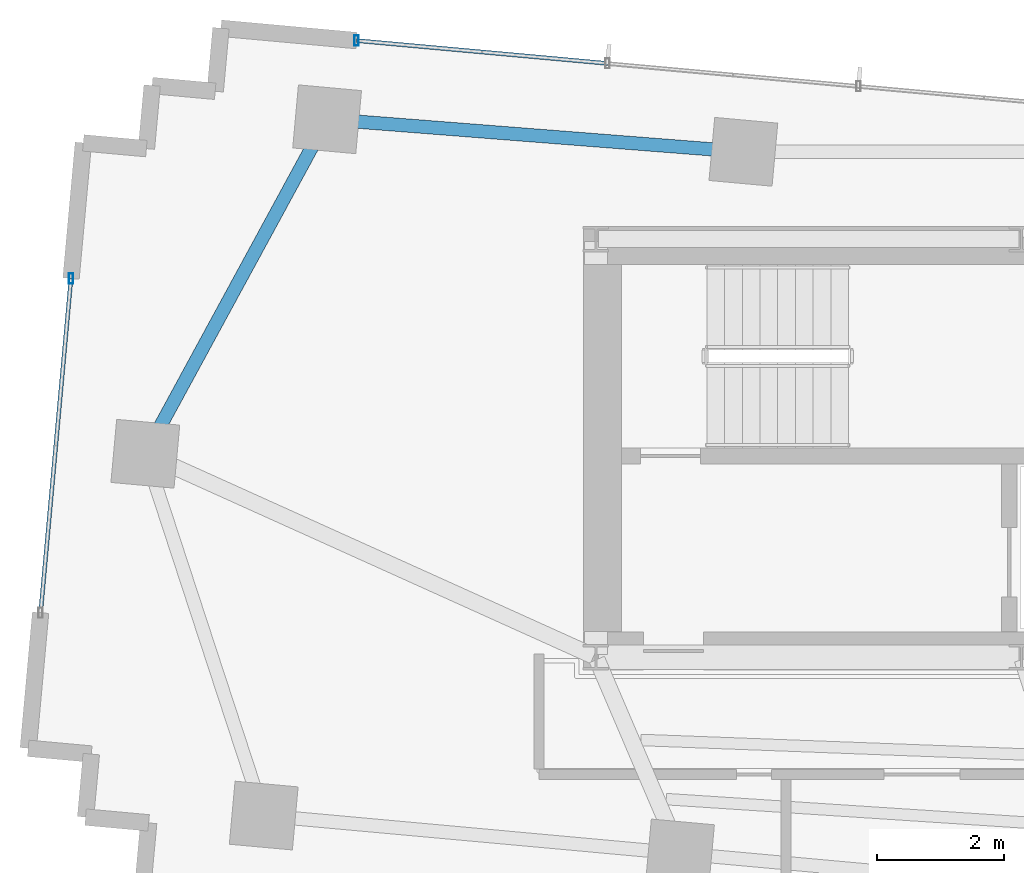
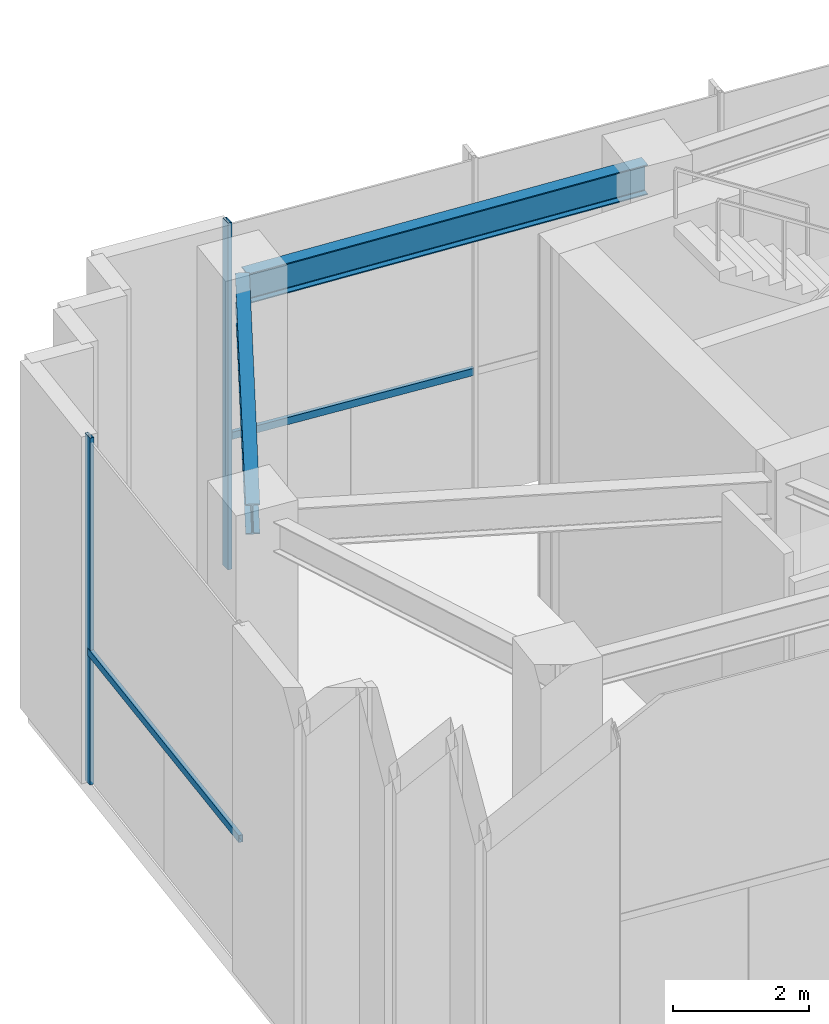
# One storey, part 4 of 14: 4 members, 2 beams, 2 elements without a shape of their own.
"""IFC4 building model written with IfcOpenShell, lengths in metres."""

from ifc_helpers import new_model, si_unit, direction, frame, origin, origin_2d, place, context, subcontext, project, spatial, hollow_rectangle, i_section, extrude, source, transform, mapped, material, material_profile, profile_set, type_object, type_shapes, element, aggregate, save


model = new_model("IFC4")

# Units and contexts
model_context = context("Model", 3, precision=1e-05, world=origin(), true_north=direction((0.0, 1.0)))
body_context = subcontext(model_context, "Body", "Model", "MODEL_VIEW")
ifc_project = project(units=[si_unit("LENGTHUNIT", "METRE"), si_unit("AREAUNIT", "SQUARE_METRE"), si_unit("VOLUMEUNIT", "CUBIC_METRE"), si_unit("PLANEANGLEUNIT", "RADIAN"), si_unit("MASSUNIT", "GRAM", prefix="KILO")], contexts=[model_context])

# Site, building, storey
site_placement = place(None, origin())
site = spatial("IfcSite", under=ifc_project, at=site_placement, CompositionType="ELEMENT")
building_placement = place(site_placement, origin())
building = spatial("IfcBuilding", under=site, at=building_placement, Name="Astriad Promenade Condominiums", CompositionType="ELEMENT")
storey_placement = place(building_placement, frame((0.0, 0.0, 270.800048828125)))
storey = spatial("IfcBuildingStorey", under=building, at=storey_placement, Name="L77", CompositionType="ELEMENT", Elevation=270.800048828125)

# Beams
ifc_material_1 = material(Name="Steel ASTM A992 Grade 50", Category="steel")
ifc_material_profile_1 = material_profile(ifc_material_1, i_section(OverallWidth=0.210693359375, OverallDepth=0.53955078125, WebThickness=0.01171875, FlangeThickness=0.018798828125, FilletRadius=0.0166015625, at=origin_2d()), Name="W21X73")
ifc_profile_set_1 = profile_set([ifc_material_profile_1], Name="Steel ASTM A992 Grade 50")
beam_type = type_object("IfcBeamType", Name="STEEL SPANDREL BEAM W21X73", PredefinedType="SPANDREL", material=ifc_profile_set_1)
shared_shape_1 = source(origin(), body_context, "Body", "SweptSolid", [
    extrude(i_section(OverallWidth=0.210693359375, OverallDepth=0.53955078125, WebThickness=0.01171875, FlangeThickness=0.018798828125, FilletRadius=0.0166015625, at=origin_2d()), origin(), (0.0, 0.0, 1.0), 5.93115234375),
])
beam_1_placement = place(storey_placement, frame((22.135498046875, 25.8583984375, 5.9501953125), z_axis=(-0.477527827146, -0.878616625327, 0.0), x_axis=(0.878616625327, -0.477527827146, 0.0)))
element("IfcBeam", 1, at=beam_1_placement, inside=storey, type_object=beam_type, Name="Perimeter Spandrel Beam SP-W2-L77", PredefinedType="SPANDREL", context=body_context, shape_type="MappedRepresentation", body=[
    mapped(shared_shape_1, transform((0.0, 0.0, 0.0), scale=1.0)),
])
shared_shape_2 = source(origin(), body_context, "Body", "SweptSolid", [
    extrude(i_section(OverallWidth=0.210693359375, OverallDepth=0.53955078125, WebThickness=0.01171875, FlangeThickness=0.018798828125, FilletRadius=0.0166015625, at=origin_2d()), origin(), (0.0, 0.0, 1.0), 6.5126953125),
])
type_shapes(beam_type, [shared_shape_1, shared_shape_2])
beam_2_placement = place(storey_placement, frame((28.6875, 25.383056640625, 5.9501953125), z_axis=(-0.996961368095, 0.077897564313, 0.0), x_axis=(-0.077897564313, -0.996961368095, 0.0)))
element("IfcBeam", 2, at=beam_2_placement, inside=storey, type_object=beam_type, Name="Perimeter Spandrel Beam SP-N1-L77", PredefinedType="SPANDREL", context=body_context, shape_type="MappedRepresentation", body=[
    mapped(shared_shape_2, transform((0.0, 0.0, 0.0), scale=1.0)),
])

# Curtain wall, member
ifc_material_2 = material(Name="Anodised aluminium Black Dark Glass Unitised", Category="aluminium")
curtain_wall_type = type_object("IfcCurtainWallType", Name="CW-TMD-LANTERN", PredefinedType="USERDEFINED", material=ifc_material_2)
curtain_wall_1_placement = place(storey_placement, origin())
curtain_wall_1 = element("IfcCurtainWall", 3, at=curtain_wall_1_placement, inside=storey, type_object=curtain_wall_type, Name="CW-LNT-L77-03-1", ObjectType="UNITISED_CURTAIN_WALL", PredefinedType="USERDEFINED")
ifc_material_3 = material(Name="Anodised aluminium 6063-T6 Black", Category="aluminium")
ifc_material_profile_2 = material_profile(ifc_material_3, hollow_rectangle(XDim=0.06494140625, YDim=0.1298828125, WallThickness=0.00390625, at=origin_2d()), Name="ALU-TRN-65X130")
ifc_profile_set_2 = profile_set([ifc_material_profile_2], Name="Anodised aluminium 6063-T6 Black")
member_type_1 = type_object("IfcMemberType", Name="TRN-ALU-TRN-65X130", PredefinedType="USERDEFINED", material=ifc_profile_set_2)
shared_shape_3 = source(origin(), body_context, "Body", "SweptSolid", [
    extrude(hollow_rectangle(XDim=0.06494140625, YDim=0.1298828125, WallThickness=0.00390625, at=origin_2d()), origin(), (0.0, 0.0, 1.0), 5.2998046875),
])
member_1_placement = place(storey_placement, frame((17.6298828125, 18.101806640625, 2.349853515625), z_axis=(0.090610507555, 0.995886407137, 0.0), x_axis=(-0.995886407137, 0.090610507555, 0.0)))
member_1 = element("IfcMember", 4, at=member_1_placement, type_object=member_type_1, Name="CW-LNT-L77-03-1-TRN-00-0", ObjectType="TRANSOM", PredefinedType="USERDEFINED", context=body_context, shape_type="MappedRepresentation", body=[
    mapped(shared_shape_3, transform((0.0, 0.0, 0.0), scale=1.0)),
])

curtain_wall_2_placement = place(storey_placement, origin())
curtain_wall_2 = element("IfcCurtainWall", 5, at=curtain_wall_2_placement, inside=storey, type_object=curtain_wall_type, Name="CW-LNT-L77-08-1", ObjectType="UNITISED_CURTAIN_WALL", PredefinedType="USERDEFINED")
shared_shape_4 = source(origin(), body_context, "Body", "SweptSolid", [
    extrude(hollow_rectangle(XDim=0.06494140625, YDim=0.1298828125, WallThickness=0.00390625, at=origin_2d()), origin(), (0.0, 0.0, 1.0), 3.9794921875),
])
type_shapes(member_type_1, [shared_shape_3, shared_shape_4])
member_2_placement = place(storey_placement, frame((22.619140625, 27.13671875, 2.349853515625), z_axis=(0.995880625321, -0.090674032171, 0.0), x_axis=(0.090674032171, 0.995880625321, 0.0)))
member_2 = element("IfcMember", 6, at=member_2_placement, type_object=member_type_1, Name="CW-LNT-L77-08-1-TRN-00-0", ObjectType="TRANSOM", PredefinedType="USERDEFINED", context=body_context, shape_type="MappedRepresentation", body=[
    mapped(shared_shape_4, transform((0.0, 0.0, 0.0), scale=1.0)),
])

# Member
ifc_material_profile_3 = material_profile(ifc_material_3, hollow_rectangle(XDim=0.06494140625, YDim=0.159912109375, WallThickness=0.00390625, at=origin_2d()), Name="ALU-MUL-65X160")
ifc_profile_set_3 = profile_set([ifc_material_profile_3], Name="Anodised aluminium 6063-T6 Black")
member_type_2 = type_object("IfcMemberType", Name="MUL-ALU-MUL-65X160", PredefinedType="MULLION", material=ifc_profile_set_3)
shared_shape_5 = source(origin(), body_context, "Body", "SweptSolid", [
    extrude(hollow_rectangle(XDim=0.06494140625, YDim=0.159912109375, WallThickness=0.00390625, at=origin_2d()), origin(), (0.0, 0.0, 1.0), 6.219970703125),
])
type_shapes(member_type_2, [shared_shape_5])
member_3_placement = place(storey_placement, frame((18.110107421875, 23.3798828125, 0.0), z_axis=(0.0, 0.0, 1.0), x_axis=(1.0, 0.0, 0.0)))
member_3 = element("IfcMember", 7, at=member_3_placement, type_object=member_type_2, Name="CW-LNT-L77-03-1-MUL-01", PredefinedType="MULLION", context=body_context, shape_type="MappedRepresentation", body=[
    mapped(shared_shape_5, transform((0.0, 0.0, 0.0), scale=1.0)),
])

aggregate(curtain_wall_1, [member_3, member_1])

member_4_placement = place(storey_placement, frame((22.619140625, 27.13671875, 0.0), z_axis=(0.0, 0.0, 1.0), x_axis=(1.0, 0.0, 0.0)))
member_4 = element("IfcMember", 8, at=member_4_placement, type_object=member_type_2, Name="CW-LNT-L77-08-1-MUL-00", PredefinedType="MULLION", context=body_context, shape_type="MappedRepresentation", body=[
    mapped(shared_shape_5, transform((0.0, 0.0, 0.0), scale=1.0)),
])

aggregate(curtain_wall_2, [member_4, member_2])

save(model, "model.ifc")
